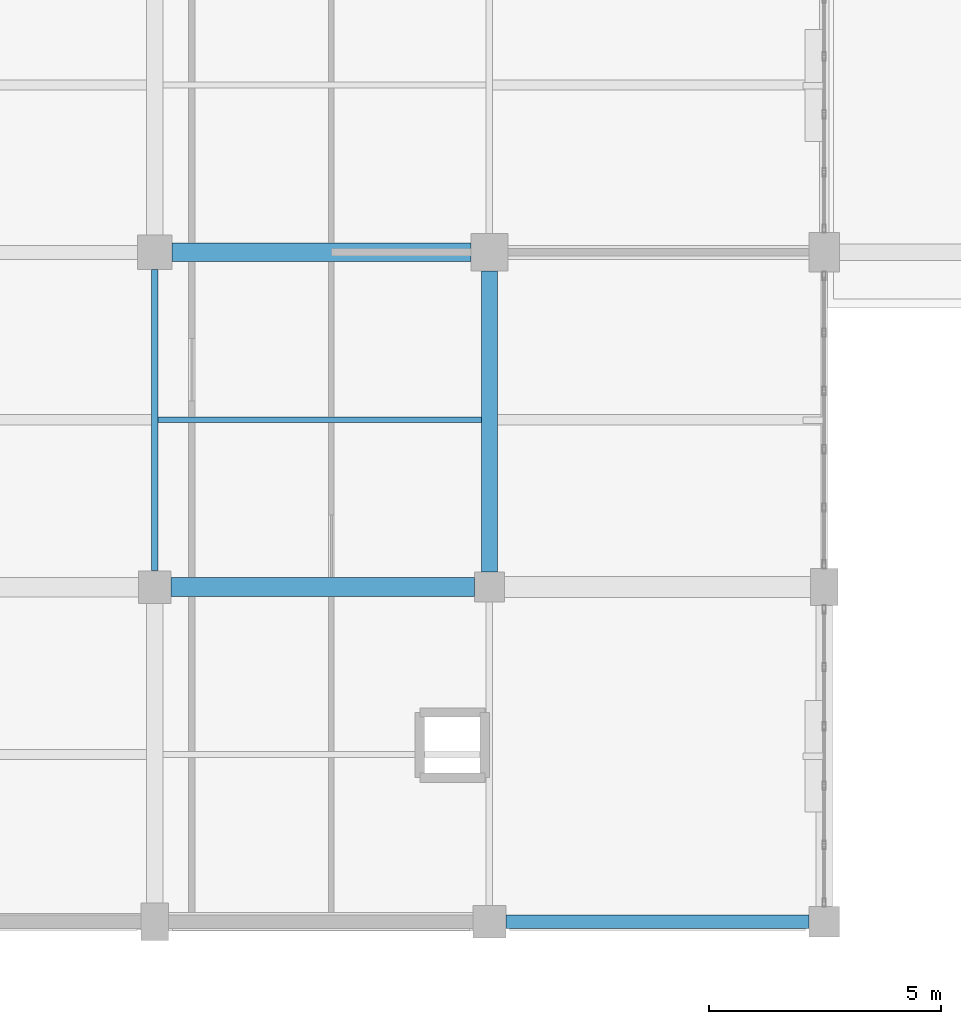
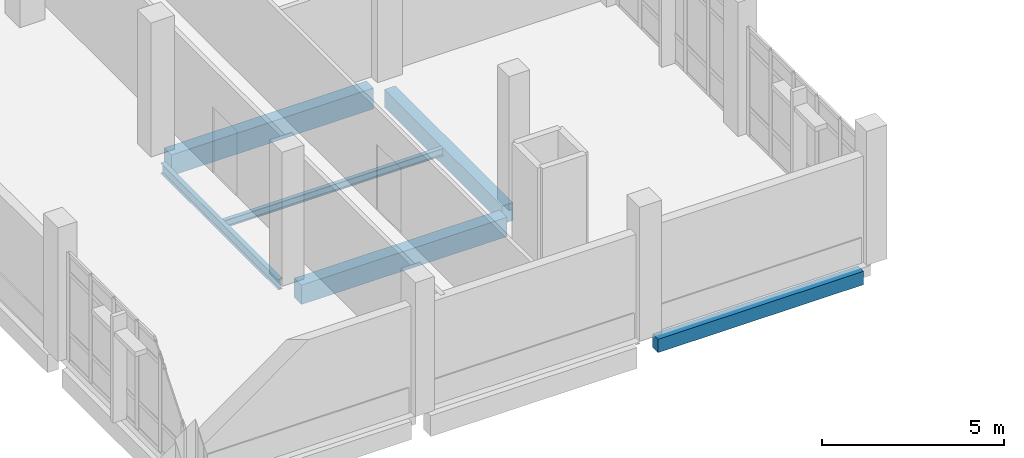
# One storey, part 12 of 134: 6 beams.
"""IFC4 building model written with IfcOpenShell, lengths in metres."""

import ifcopenshell
import ifcopenshell.guid

model = None  # the IFC model being written
_history = None  # IfcOwnerHistory: only IFC2X3 demands one
_inside = {}  # id of a spatial element -> (the spatial element, [elements in it])
_under = {}  # id of a project, library or spatial element -> (it, [spatial elements below it])
_declared = {}  # id of a project -> (the project, [libraries it declares])
_typed = {}  # id of a type object -> (the type object, [elements of that type])
_made_of = {}  # id of a material, layer set ... -> (it, [elements and type objects made of it])


def new_model(schema):
    """Start an empty IFC model of exactly this schema.

    Asked for "IFC4X3", IfcOpenShell would pick the latest addendum, in which some entities
    have other attributes; the version numbers below select the first issue.
    IFC2X3 requires an IfcOwnerHistory on every rooted entity: one is made here for all.
    """
    global model, _history
    if schema == "IFC4X3":
        model = ifcopenshell.file(schema_version=(4, 3, 0, 0))
    else:
        model = ifcopenshell.file(schema=schema)
    _inside.clear()
    _under.clear()
    _declared.clear()
    _typed.clear()
    _made_of.clear()
    _history = None
    if model.schema == "IFC2X3":
        org = make("IfcOrganization", Name="unknown")
        user = make(
            "IfcPersonAndOrganization",
            ThePerson=make("IfcPerson", FamilyName="unknown"),
            TheOrganization=org,
        )
        app = make(
            "IfcApplication",
            ApplicationDeveloper=org,
            Version="unknown",
            ApplicationFullName="unknown",
            ApplicationIdentifier="unknown",
        )
        _history = make(
            "IfcOwnerHistory",
            OwningUser=user,
            OwningApplication=app,
            ChangeAction="ADDED",
            CreationDate=0,
        )
    return model


def make(cls, **values):
    """One entity of the class cls with the attributes given. An attribute that is None is left unset."""
    return model.create_entity(
        cls, **{name: value for name, value in values.items() if value is not None}
    )


def rooted(cls, **values):
    """An entity with a GlobalId (a new one), such as an element, a storey or a relation."""
    return make(cls, GlobalId=ifcopenshell.guid.new(), OwnerHistory=_history, **values)


def si_unit(unit_type, name, prefix=None):
    """IfcSIUnit, for example si_unit("LENGTHUNIT", "METRE", prefix="MILLI")."""
    return make("IfcSIUnit", UnitType=unit_type, Prefix=prefix, Name=name)


def assignment(units):
    """IfcUnitAssignment: the units of a project."""
    return None if units is None else make("IfcUnitAssignment", Units=units)


def point(xyz):
    """IfcCartesianPoint."""
    return None if xyz is None else make("IfcCartesianPoint", Coordinates=xyz)


def direction(xyz):
    """IfcDirection."""
    return None if xyz is None else make("IfcDirection", DirectionRatios=xyz)


def frame(location, z_axis=None, x_axis=None):
    """IfcAxis2Placement3D, a coordinate frame: its origin and axes. An axis left out is left unset."""
    return make(
        "IfcAxis2Placement3D",
        Location=point(location),
        Axis=direction(z_axis),
        RefDirection=direction(x_axis),
    )


def frame_2d(location, x_axis=None):
    """IfcAxis2Placement2D, a coordinate frame in the plane: its origin and x axis."""
    return make(
        "IfcAxis2Placement2D", Location=point(location), RefDirection=direction(x_axis)
    )


def origin():
    """The frame at (0, 0, 0) with its axes left unset."""
    return frame((0.0, 0.0, 0.0))


def origin_2d():
    """The frame at (0, 0) in the plane with its x axis left unset."""
    return frame_2d((0.0, 0.0))


def place(relative_to, where):
    """IfcLocalPlacement: puts the frame where relative to a parent placement (None: the world)."""
    return make(
        "IfcLocalPlacement", PlacementRelTo=relative_to, RelativePlacement=where
    )


def context(
    kind, dimensions, precision=None, world=None, true_north=None, identifier=None
):
    """IfcGeometricRepresentationContext, for example the 3D "Model" context."""
    return make(
        "IfcGeometricRepresentationContext",
        ContextIdentifier=identifier,
        ContextType=kind,
        CoordinateSpaceDimension=dimensions,
        Precision=precision,
        WorldCoordinateSystem=world,
        TrueNorth=true_north,
    )


def subcontext(parent, identifier, kind, view, scale=None):
    """IfcGeometricRepresentationSubContext, for example "Body" below "Model"."""
    return make(
        "IfcGeometricRepresentationSubContext",
        ContextIdentifier=identifier,
        ContextType=kind,
        ParentContext=parent,
        TargetScale=scale,
        TargetView=view,
    )


def project(units=None, contexts=None):
    """IfcProject with its units and contexts."""
    return rooted(
        "IfcProject",
        Name="project",
        RepresentationContexts=contexts,
        UnitsInContext=assignment(units),
    )


def spatial(cls, under=None, at=None, **own):
    """A site, building, storey or space (cls), placed at a placement, below another one or the project."""
    s = rooted(cls, ObjectPlacement=at, **own)
    if under is not None:
        _under.setdefault(under.id(), (under, []))[1].append(s)
    return s


def profile(cls, at=None, kind="AREA", **sizes):
    """A parametric profile (cls). Its sizes go by their IFC names, for example OverallWidth=200.0."""
    return make(cls, ProfileType=kind, Position=at, **sizes)


def rectangle(**sizes):
    """IfcRectangleProfileDef."""
    return profile("IfcRectangleProfileDef", **sizes)


def i_section(**sizes):
    """IfcIShapeProfileDef."""
    return profile("IfcIShapeProfileDef", **sizes)


def extrude(swept, where, along, depth):
    """IfcExtrudedAreaSolid: the profile swept, set in the frame where, extruded along a direction by depth."""
    return make(
        "IfcExtrudedAreaSolid",
        SweptArea=swept,
        Position=where,
        ExtrudedDirection=direction(along),
        Depth=depth,
    )


def shape(context_of_items, identifier, shape_type, items):
    """IfcShapeRepresentation: the items that make up one representation, for example the "Body"."""
    return make(
        "IfcShapeRepresentation",
        ContextOfItems=context_of_items,
        RepresentationIdentifier=identifier,
        RepresentationType=shape_type,
        Items=items,
    )


def material(Name=None, Category=None):
    """IfcMaterial."""
    return make("IfcMaterial", Name=Name, Category=Category)


def material_profile(
    of_material, cross_section, Name=None, Category=None, Priority=None
):
    """IfcMaterialProfile: a cross section and its material."""
    return make(
        "IfcMaterialProfile",
        Name=Name,
        Material=of_material,
        Profile=cross_section,
        Priority=Priority,
        Category=Category,
    )


def profile_set(profiles, Name=None, composite=None):
    """IfcMaterialProfileSet."""
    return make(
        "IfcMaterialProfileSet",
        Name=Name,
        MaterialProfiles=profiles,
        CompositeProfile=composite,
    )


def made_of(thing, what):
    """Note that an element or type object is made of a material, layer set ...; save() writes the relation."""
    if what is not None:
        _made_of.setdefault(what.id(), (what, []))[1].append(thing)
    return thing


def type_object(cls, material=None, **own):
    """A type object (cls), such as IfcWallType, which elements share."""
    return made_of(rooted(cls, **own), material)


def element(
    cls,
    number,
    at=None,
    inside=None,
    cuts=None,
    type_object=None,
    material=None,
    context=None,
    identifier="Body",
    shape_type=None,
    held_by="IfcProductDefinitionShape",
    body=None,
    shapes=None,
    **own,
):
    """One element of the class cls, such as IfcWall. Its Tag is "e" and its number.

    at: its placement. inside: the storey or other place that contains it. cuts: it is an
    opening in that element (IfcRelVoidsElement). A single representation is given by context,
    identifier, shape_type and body (its items); several are given by shapes. held_by: the class
    of the entity that holds the representations. save() writes the other relations.
    """
    e = rooted(cls, Tag="e%d" % number, ObjectPlacement=at, **own)
    if body is not None:
        shapes = [shape(context, identifier, shape_type, body)]
    if shapes is not None:
        e.Representation = make(held_by, Representations=shapes)
    if inside is not None:
        _inside.setdefault(inside.id(), (inside, []))[1].append(e)
    if cuts is not None:
        rooted(
            "IfcRelVoidsElement", RelatingBuildingElement=cuts, RelatedOpeningElement=e
        )
    if type_object is not None:
        _typed.setdefault(type_object.id(), (type_object, []))[1].append(e)
    return made_of(e, material)


def aggregate(whole, parts):
    """IfcRelAggregates: a whole, such as a stair, and the parts it consists of."""
    return rooted("IfcRelAggregates", RelatingObject=whole, RelatedObjects=parts)


def save(model, path):
    """Write the relations noted so far, then the file.

    IfcRelAggregates (storeys below a building ...), IfcRelContainedInSpatialStructure (elements
    in a storey), IfcRelDefinesByType, IfcRelAssociatesMaterial and IfcRelDeclares: one each for
    every whole, place, type object, material and project.
    """
    for whole, parts in _under.values():
        aggregate(whole, parts)
    for where, things in _inside.values():
        rooted(
            "IfcRelContainedInSpatialStructure",
            RelatedElements=things,
            RelatingStructure=where,
        )
    for kind, things in _typed.values():
        rooted("IfcRelDefinesByType", RelatedObjects=things, RelatingType=kind)
    for what, things in _made_of.values():
        rooted("IfcRelAssociatesMaterial", RelatedObjects=things, RelatingMaterial=what)
    for by, libraries in _declared.values():
        rooted("IfcRelDeclares", RelatingContext=by, RelatedDefinitions=libraries)
    model.write(path)


model = new_model("IFC4")

# Units and contexts
model_context = context("Model", 3, precision=1e-05, world=origin(), true_north=direction((0.0, 1.0)))
body_context = subcontext(model_context, "Body", "Model", "MODEL_VIEW")
ifc_project = project(units=[si_unit("LENGTHUNIT", "METRE"), si_unit("AREAUNIT", "SQUARE_METRE"), si_unit("VOLUMEUNIT", "CUBIC_METRE"), si_unit("PLANEANGLEUNIT", "RADIAN"), si_unit("MASSUNIT", "GRAM", prefix="KILO")], contexts=[model_context])

# Site, building, storey
site_placement = place(None, origin())
site = spatial("IfcSite", under=ifc_project, at=site_placement, CompositionType="ELEMENT")
building_placement = place(site_placement, origin())
building = spatial("IfcBuilding", under=site, at=building_placement, Name="Kalluvel Institute of Natural Sciences", CompositionType="ELEMENT")
storey_placement = place(building_placement, frame((0.0, 0.0, 5.39990234375)))
storey = spatial("IfcBuildingStorey", under=building, at=storey_placement, Name="L01", CompositionType="ELEMENT", Elevation=5.39990234375)

# Beams
ifc_material_1 = material(Name="Steel E350 Grade 350", Category="steel")
ifc_material_profile_1 = material_profile(ifc_material_1, i_section(OverallWidth=0.139892578125, OverallDepth=0.35009765625, WebThickness=0.008056640625, FlangeThickness=0.01416015625, FilletRadius=0.013916015625, at=origin_2d()), Name="ISMB 350")
ifc_profile_set_1 = profile_set([ifc_material_profile_1], Name="Steel E350 Grade 350")
beam_type_1 = type_object("IfcBeamType", Name="BM-ISMB350", PredefinedType="BEAM", material=ifc_profile_set_1)
beam_1_placement = place(storey_placement, frame((21.199951171875, 21.550048828125, -0.474853515625), z_axis=(0.0, 1.0, 0.0), x_axis=(-1.0, 0.0, 0.0)))
element("IfcBeam", 1, at=beam_1_placement, inside=storey, type_object=beam_type_1, Name="L01 girder GIR-L01-NS-X212-Y212", PredefinedType="BEAM", context=body_context, shape_type="SweptSolid", body=[
    extrude(i_section(OverallWidth=0.139892578125, OverallDepth=0.35009765625, WebThickness=0.008056640625, FlangeThickness=0.01416015625, FilletRadius=0.013916015625, at=origin_2d()), origin(), (0.0, 0.0, 1.0), 6.474853515625),
])
ifc_material_2 = material(Name="Concrete M40", Category="concrete")
ifc_material_profile_2 = material_profile(ifc_material_2, rectangle(XDim=0.35009765625, YDim=0.60009765625, at=origin_2d()), Name="RCB 350x600")
ifc_profile_set_2 = profile_set([ifc_material_profile_2], Name="Concrete M40")
beam_type_2 = type_object("IfcBeamType", Name="BM-RC350x600", PredefinedType="BEAM", material=ifc_profile_set_2)
beam_2_placement = place(storey_placement, frame((28.39990234375, 21.52490234375, -0.599853515625), z_axis=(0.0, 1.0, 0.0), x_axis=(-1.0, 0.0, 0.0)))
element("IfcBeam", 2, at=beam_2_placement, inside=storey, type_object=beam_type_2, Name="L01 girder GIR-L01-NS-X284-Y212", PredefinedType="BEAM", context=body_context, shape_type="SweptSolid", body=[
    extrude(rectangle(XDim=0.35009765625, YDim=0.60009765625, at=origin_2d()), origin(), (0.0, 0.0, 1.0), 6.47509765625),
])
ifc_material_profile_3 = material_profile(ifc_material_2, rectangle(XDim=0.39990234375, YDim=0.64990234375, at=origin_2d()), Name="RCB 400x650")
ifc_profile_set_3 = profile_set([ifc_material_profile_3], Name="Concrete M40")
beam_type_3 = type_object("IfcBeamType", Name="BM-RC400x650", PredefinedType="BEAM", material=ifc_profile_set_3)
beam_3_placement = place(storey_placement, frame((21.550048828125, 21.199951171875, -0.625), z_axis=(1.0, 0.0, 0.0), x_axis=(0.0, 1.0, 0.0)))
element("IfcBeam", 3, at=beam_3_placement, inside=storey, type_object=beam_type_3, Name="L01 girder GIR-L01-EW-X212-Y212", PredefinedType="BEAM", context=body_context, shape_type="SweptSolid", body=[
    extrude(rectangle(XDim=0.39990234375, YDim=0.64990234375, at=origin_2d()), origin(), (0.0, 0.0, 1.0), 6.52490234375),
])
ifc_material_profile_4 = material_profile(ifc_material_2, rectangle(XDim=0.300048828125, YDim=0.449951171875, at=origin_2d()), Name="RCB 300x450")
ifc_profile_set_4 = profile_set([ifc_material_profile_4], Name="Concrete M40")
beam_type_4 = type_object("IfcBeamType", Name="SP-RC300x450", PredefinedType="SPANDREL", material=ifc_profile_set_4)
beam_4_placement = place(storey_placement, frame((28.75, 14.0, -0.52490234375), z_axis=(1.0, 0.0, 0.0), x_axis=(0.0, 1.0, 0.0)))
element("IfcBeam", 4, at=beam_4_placement, inside=storey, type_object=beam_type_4, Name="L01 girder GIR-L01-EW-X284-Y140", PredefinedType="SPANDREL", context=body_context, shape_type="SweptSolid", body=[
    extrude(rectangle(XDim=0.300048828125, YDim=0.449951171875, at=origin_2d()), origin(), (0.0, 0.0, 1.0), 6.52490234375),
])
ifc_material_profile_5 = material_profile(ifc_material_2, rectangle(XDim=0.39990234375, YDim=0.699951171875, at=origin_2d()), Name="RCB 400x700")
ifc_profile_set_5 = profile_set([ifc_material_profile_5], Name="Concrete M40")
beam_type_5 = type_object("IfcBeamType", Name="SP-RC400x700", PredefinedType="SPANDREL", material=ifc_profile_set_5)
beam_5_placement = place(storey_placement, frame((21.574951171875, 28.39990234375, -0.64990234375), z_axis=(1.0, 0.0, 0.0), x_axis=(0.0, 1.0, 0.0)))
element("IfcBeam", 5, at=beam_5_placement, inside=storey, type_object=beam_type_5, Name="L01 girder GIR-L01-EW-X212-Y284", PredefinedType="SPANDREL", context=body_context, shape_type="SweptSolid", body=[
    extrude(rectangle(XDim=0.39990234375, YDim=0.699951171875, at=origin_2d()), origin(), (0.0, 0.0, 1.0), 6.425048828125),
])
ifc_material_profile_6 = material_profile(ifc_material_1, i_section(OverallWidth=0.125, OverallDepth=0.25, WebThickness=0.0068359375, FlangeThickness=0.012451171875, FilletRadius=0.012939453125, at=origin_2d()), Name="ISMB 250")
ifc_profile_set_6 = profile_set([ifc_material_profile_6], Name="Steel E350 Grade 350")
beam_type_6 = type_object("IfcBeamType", Name="WJ-ISMB250", PredefinedType="JOIST", material=ifc_profile_set_6)
beam_6_placement = place(storey_placement, frame((21.27001953125, 24.800048828125, -0.4248046875), z_axis=(1.0, 0.0, 0.0), x_axis=(0.0, 1.0, 0.0)))
element("IfcBeam", 6, at=beam_6_placement, inside=storey, type_object=beam_type_6, Name="L01 floor rib RIB-L01-0629", PredefinedType="JOIST", context=body_context, shape_type="SweptSolid", body=[
    extrude(i_section(OverallWidth=0.125, OverallDepth=0.25, WebThickness=0.0068359375, FlangeThickness=0.012451171875, FilletRadius=0.012939453125, at=origin_2d()), origin(), (0.0, 0.0, 1.0), 6.955078125),
])

save(model, "model.ifc")
